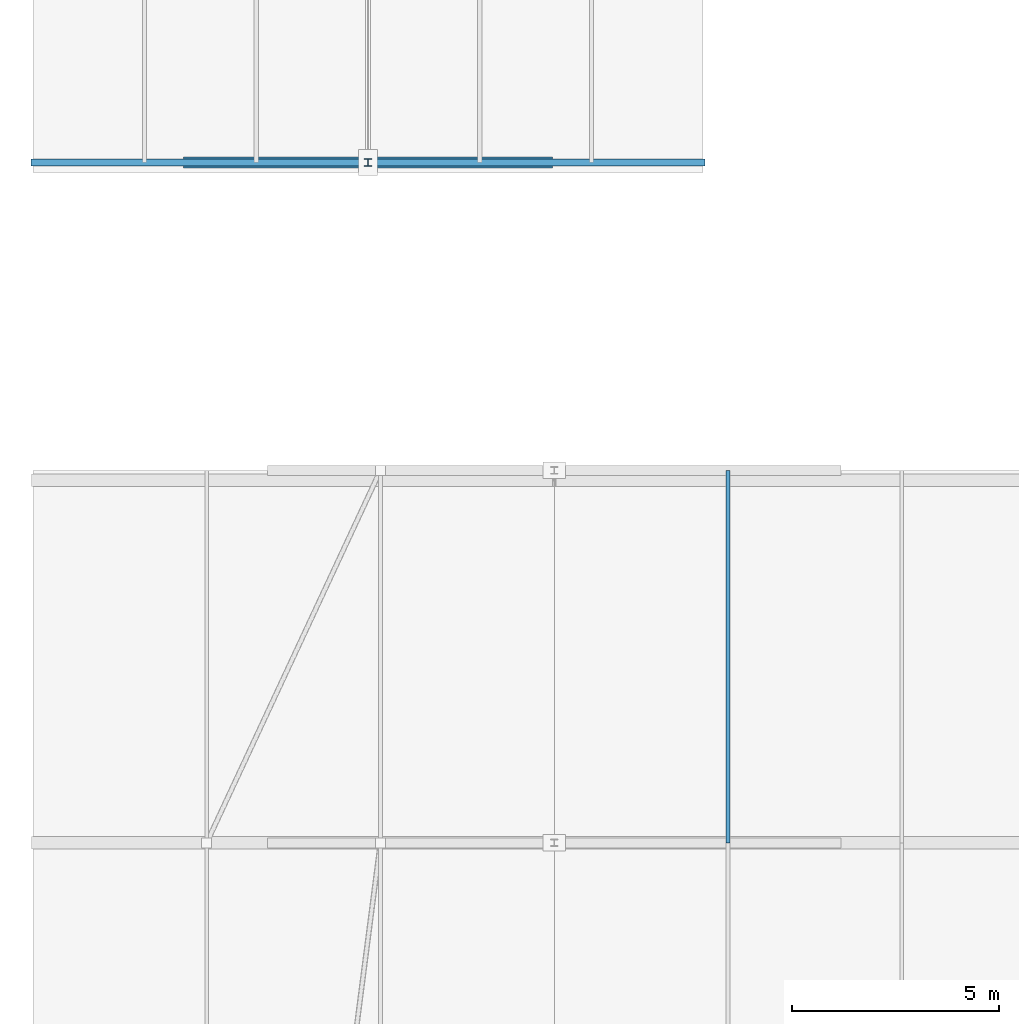
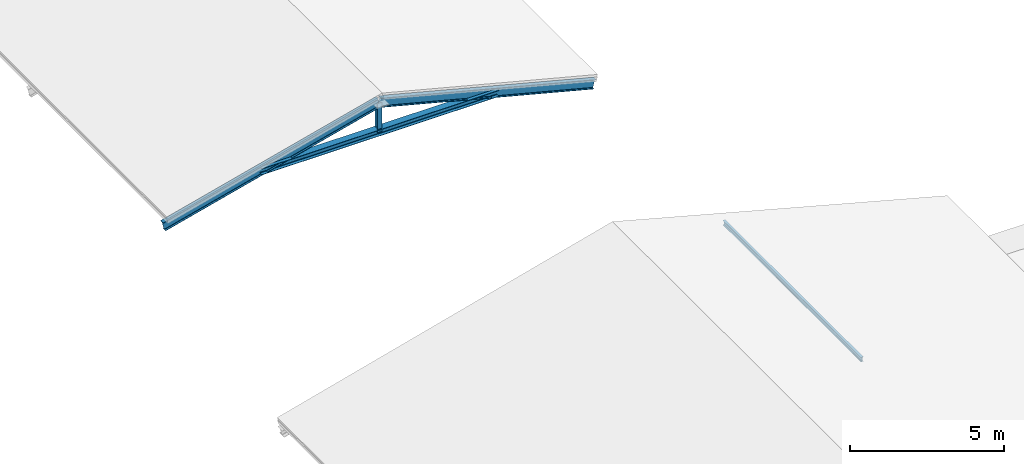
# One storey, part 6 of 31: 5 members.
"""IFC4 building model written with IfcOpenShell, lengths in metres."""

from ifc_helpers import new_model, si_unit, direction, frame, origin, origin_2d, place, context, subcontext, project, spatial, i_section, extrude, material, material_profile, profile_set, type_object, element, save


model = new_model("IFC4")

# Units and contexts
model_context = context("Model", 3, precision=1e-05, world=origin(), true_north=direction((0.0, 1.0)))
body_context = subcontext(model_context, "Body", "Model", "MODEL_VIEW")
ifc_project = project(units=[si_unit("LENGTHUNIT", "METRE"), si_unit("AREAUNIT", "SQUARE_METRE"), si_unit("VOLUMEUNIT", "CUBIC_METRE"), si_unit("PLANEANGLEUNIT", "RADIAN"), si_unit("MASSUNIT", "GRAM", prefix="KILO")], contexts=[model_context])

# Site, building, storey
site_placement = place(None, origin())
site = spatial("IfcSite", under=ifc_project, at=site_placement, CompositionType="ELEMENT")
building_placement = place(site_placement, origin())
building = spatial("IfcBuilding", under=site, at=building_placement, Name="Clarverna Civic Hall", CompositionType="ELEMENT")
storey_placement = place(building_placement, frame((0.0, 0.0, 31.199951171875)))
storey = spatial("IfcBuildingStorey", under=building, at=storey_placement, Name="RF", CompositionType="ELEMENT", Elevation=31.199951171875)

# Members
ifc_material = material(Name="Steel S355", Category="steel")
ifc_material_profile_1 = material_profile(ifc_material, i_section(OverallWidth=0.260009765625, OverallDepth=0.25, WebThickness=0.007568359375, FlangeThickness=0.012451171875, FilletRadius=0.02392578125, at=origin_2d()), Name="HEA 260")
ifc_profile_set_1 = profile_set([ifc_material_profile_1], Name="Steel S355")
member_type_1 = type_object("IfcMemberType", Name="CH-02", PredefinedType="CHORD", material=ifc_profile_set_1)
member_1_placement = place(storey_placement, frame((3.64501953125, 62.840087890625, -10.207275390625), z_axis=(1.0, 0.0, 0.0), x_axis=(0.0, 1.0, 0.0)))
element("IfcMember", 1, at=member_1_placement, inside=storey, type_object=member_type_1, Name="CH-02-001", PredefinedType="CHORD", context=body_context, shape_type="SweptSolid", body=[
    extrude(i_section(OverallWidth=0.260009765625, OverallDepth=0.25, WebThickness=0.007568359375, FlangeThickness=0.012451171875, FilletRadius=0.02392578125, at=origin_2d()), origin(), (0.0, 0.0, 1.0), 8.909912109375),
])
ifc_material_profile_2 = material_profile(ifc_material, i_section(OverallWidth=0.179931640625, OverallDepth=0.1708984375, WebThickness=0.006103515625, FlangeThickness=0.009521484375, FilletRadius=0.014892578125, at=origin_2d()), Name="HEA 180")
ifc_profile_set_2 = profile_set([ifc_material_profile_2], Name="Steel S355")
member_type_2 = type_object("IfcMemberType", Name="CH-04", PredefinedType="CHORD", material=ifc_profile_set_2)
member_2_placement = place(storey_placement, frame((8.10009765625, 62.840087890625, -10.207275390625), z_axis=(0.0, 0.0, 1.0), x_axis=(1.0, 0.0, 0.0)))
element("IfcMember", 2, at=member_2_placement, inside=storey, type_object=member_type_2, Name="CH-04-094", PredefinedType="CHORD", context=body_context, shape_type="SweptSolid", body=[
    extrude(i_section(OverallWidth=0.179931640625, OverallDepth=0.1708984375, WebThickness=0.006103515625, FlangeThickness=0.009521484375, FilletRadius=0.014892578125, at=origin_2d()), origin(), (0.0, 0.0, 1.0), 1.152099609375),
])
ifc_material_profile_3 = material_profile(ifc_material, i_section(OverallWidth=0.091064453125, OverallDepth=0.179931640625, WebThickness=0.00537109375, FlangeThickness=0.008056640625, FilletRadius=0.009033203125, at=origin_2d()), Name="IPE 180")
ifc_profile_set_3 = profile_set([ifc_material_profile_3], Name="Steel S355")
member_type_3 = type_object("IfcMemberType", Name="PU-RF2", PredefinedType="PURLIN", material=ifc_profile_set_3)
member_3_placement = place(storey_placement, frame((16.800048828125, 46.39990234375, -12.379150390625), z_axis=(0.0, 1.0, 0.0), x_axis=(-1.0, 0.0, 0.0)))
element("IfcMember", 3, at=member_3_placement, inside=storey, type_object=member_type_3, Name="PU-RF2-012", PredefinedType="PURLIN", context=body_context, shape_type="SweptSolid", body=[
    extrude(i_section(OverallWidth=0.091064453125, OverallDepth=0.179931640625, WebThickness=0.00537109375, FlangeThickness=0.008056640625, FilletRadius=0.009033203125, at=origin_2d()), origin(), (0.0, 0.0, 1.0), 9.0),
])
ifc_material_profile_4 = material_profile(ifc_material, i_section(OverallWidth=0.169921875, OverallDepth=0.360107421875, WebThickness=0.008056640625, FlangeThickness=0.0126953125, FilletRadius=0.01806640625, at=origin_2d()), Name="IPE 360")
ifc_profile_set_4 = profile_set([ifc_material_profile_4], Name="Steel S355")
member_type_4 = type_object("IfcMemberType", Name="RF-02", PredefinedType="RAFTER", material=ifc_profile_set_4)
member_4_placement = place(storey_placement, frame((0.0, 62.840087890625, -11.14990234375), z_axis=(0.96815057025, 0.0, 0.250368674807), x_axis=(0.0, 1.0, 0.0)))
element("IfcMember", 4, at=member_4_placement, inside=storey, type_object=member_type_4, Name="RF-02-001", PredefinedType="RAFTER", context=body_context, shape_type="SweptSolid", body=[
    extrude(i_section(OverallWidth=0.169921875, OverallDepth=0.360107421875, WebThickness=0.008056640625, FlangeThickness=0.0126953125, FilletRadius=0.01806640625, at=origin_2d()), origin(), (0.0, 0.0, 1.0), 8.366455078125),
])
member_5_placement = place(storey_placement, frame((16.199951171875, 62.840087890625, -11.14990234375), z_axis=(-0.968148741008, 0.0, 0.250375748195), x_axis=(0.0, -1.0, 0.0)))
element("IfcMember", 5, at=member_5_placement, inside=storey, type_object=member_type_4, Name="RF-02-002", PredefinedType="RAFTER", context=body_context, shape_type="SweptSolid", body=[
    extrude(i_section(OverallWidth=0.169921875, OverallDepth=0.360107421875, WebThickness=0.008056640625, FlangeThickness=0.0126953125, FilletRadius=0.01806640625, at=origin_2d()), origin(), (0.0, 0.0, 1.0), 8.3662109375),
])

save(model, "model.ifc")
